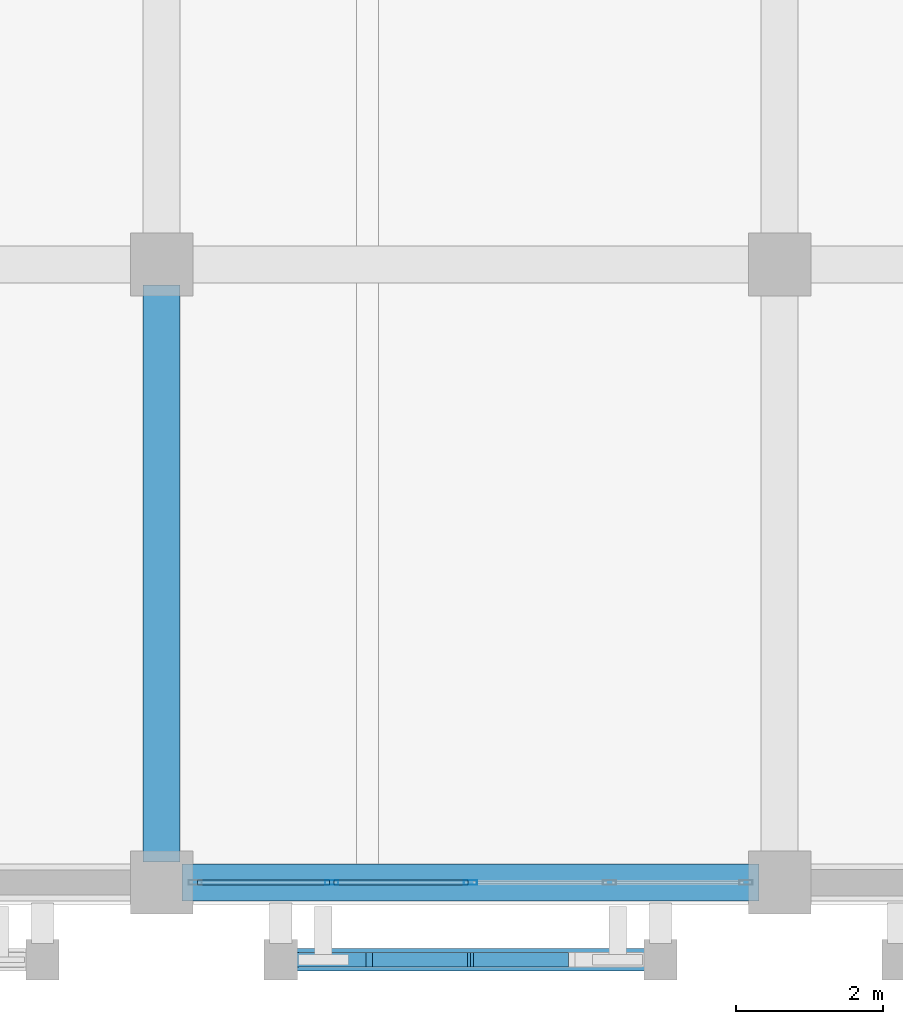
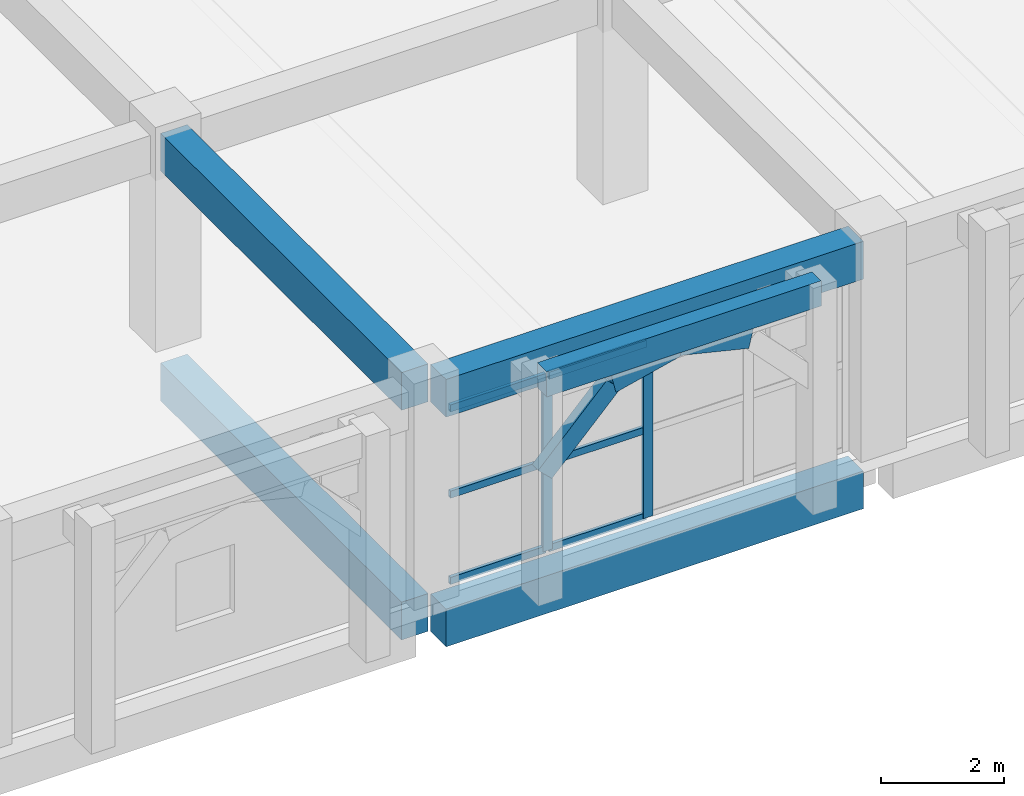
# One storey, part 9 of 129: 11 members, 5 beams, 1 element without a shape of its own.
"""IFC4 building model written with IfcOpenShell, lengths in metres."""

from ifc_helpers import new_model, si_unit, direction, frame, origin, origin_2d, place, context, subcontext, project, spatial, rectangle, hollow_rectangle, extrude, material, layer, layer_set, material_profile, profile_set, type_object, element, aggregate, save


model = new_model("IFC4")

# Units and contexts
model_context = context("Model", 3, precision=1e-05, world=origin(), true_north=direction((0.0, 1.0)))
body_context = subcontext(model_context, "Body", "Model", "MODEL_VIEW")
ifc_project = project(units=[si_unit("LENGTHUNIT", "METRE"), si_unit("AREAUNIT", "SQUARE_METRE"), si_unit("VOLUMEUNIT", "CUBIC_METRE"), si_unit("PLANEANGLEUNIT", "RADIAN"), si_unit("MASSUNIT", "GRAM", prefix="KILO")], contexts=[model_context])

# Site, building, storey
site_placement = place(None, origin())
site = spatial("IfcSite", under=ifc_project, at=site_placement, CompositionType="ELEMENT")
building_placement = place(site_placement, origin())
building = spatial("IfcBuilding", under=site, at=building_placement, Name="Xazarin Passage Department Store", CompositionType="ELEMENT")
storey_placement = place(building_placement, frame((0.0, 0.0, 9.89990234375)))
storey = spatial("IfcBuildingStorey", under=building, at=storey_placement, Name="L02", CompositionType="ELEMENT", Elevation=9.89990234375)

# Curtain wall, members
ifc_material_1 = material(Name="Bronze anodised aluminium", Category="aluminium")
ifc_layer = layer(ifc_material_1, 0.18994140625)
ifc_layer_set = layer_set([ifc_layer], Name="Bronze anodised aluminium")
curtain_wall_type = type_object("IfcCurtainWallType", Name="ARC-CW-FDH1", PredefinedType="NOTDEFINED", material=ifc_layer_set)
curtain_wall_placement = place(storey_placement, origin())
curtain_wall = element("IfcCurtainWall", 1, at=curtain_wall_placement, inside=storey, type_object=curtain_wall_type, Name="L02 V3 Curtain Wall 132", PredefinedType="NOTDEFINED")
ifc_material_profile_1 = material_profile(ifc_material_1, hollow_rectangle(XDim=0.06494140625, YDim=0.179931640625, WallThickness=0.00390625, at=origin_2d()), Name="ALU 65x180")
ifc_profile_set_1 = profile_set([ifc_material_profile_1], Name="Bronze anodised aluminium")
member_type_1 = type_object("IfcMemberType", Name="ARC-CWM-65x180", PredefinedType="MULLION", material=ifc_profile_set_1)
member_1_placement = place(storey_placement, frame((44.3125, 0.0, 0.0), z_axis=(0.0, 0.0, 1.0), x_axis=(0.0, 1.0, 0.0)))
member_1 = element("IfcMember", 2, at=member_1_placement, type_object=member_type_1, Name="CW5 mullion 2", PredefinedType="MULLION", context=body_context, shape_type="SweptSolid", body=[
    extrude(hollow_rectangle(XDim=0.06494140625, YDim=0.179931640625, WallThickness=0.00390625, at=origin_2d()), origin(), (0.0, 0.0, 1.0), 3.489990234375),
])
member_2_placement = place(storey_placement, frame((46.199951171875, 0.0, 0.0), z_axis=(0.0, 0.0, 1.0), x_axis=(0.0, 1.0, 0.0)))
member_2 = element("IfcMember", 3, at=member_2_placement, type_object=member_type_1, Name="CW5 mullion 3", PredefinedType="MULLION", context=body_context, shape_type="SweptSolid", body=[
    extrude(hollow_rectangle(XDim=0.06494140625, YDim=0.179931640625, WallThickness=0.00390625, at=origin_2d()), origin(), (0.0, 0.0, 1.0), 3.489990234375),
])
ifc_material_profile_2 = material_profile(ifc_material_1, hollow_rectangle(XDim=0.06494140625, YDim=0.139892578125, WallThickness=0.00390625, at=origin_2d()), Name="ALU 65x140")
ifc_profile_set_2 = profile_set([ifc_material_profile_2], Name="Bronze anodised aluminium")
member_type_2 = type_object("IfcMemberType", Name="ARC-CWT-65x140", PredefinedType="USERDEFINED", material=ifc_profile_set_2)
member_3_placement = place(storey_placement, frame((42.489990234375, 0.0, 0.03271484375), z_axis=(1.0, 0.0, 0.0), x_axis=(0.0, 1.0, 0.0)))
member_3 = element("IfcMember", 4, at=member_3_placement, type_object=member_type_2, Name="CW5 transom 1.1", ObjectType="TRANSOM", PredefinedType="USERDEFINED", context=body_context, shape_type="SweptSolid", body=[
    extrude(hollow_rectangle(XDim=0.06494140625, YDim=0.139892578125, WallThickness=0.00390625, at=origin_2d()), origin(), (0.0, 0.0, 1.0), 1.7900390625),
])
member_4_placement = place(storey_placement, frame((42.489990234375, 0.0, 1.7451171875), z_axis=(1.0, 0.0, 0.0), x_axis=(0.0, 1.0, 0.0)))
member_4 = element("IfcMember", 5, at=member_4_placement, type_object=member_type_2, Name="CW5 transom 1.2", ObjectType="TRANSOM", PredefinedType="USERDEFINED", context=body_context, shape_type="SweptSolid", body=[
    extrude(hollow_rectangle(XDim=0.06494140625, YDim=0.139892578125, WallThickness=0.00390625, at=origin_2d()), origin(), (0.0, 0.0, 1.0), 1.7900390625),
])
member_5_placement = place(storey_placement, frame((42.489990234375, 0.0, 3.45751953125), z_axis=(1.0, 0.0, 0.0), x_axis=(0.0, 1.0, 0.0)))
member_5 = element("IfcMember", 6, at=member_5_placement, type_object=member_type_2, Name="CW5 transom 1.3", ObjectType="TRANSOM", PredefinedType="USERDEFINED", context=body_context, shape_type="SweptSolid", body=[
    extrude(hollow_rectangle(XDim=0.06494140625, YDim=0.139892578125, WallThickness=0.00390625, at=origin_2d()), origin(), (0.0, 0.0, 1.0), 1.7900390625),
])
member_6_placement = place(storey_placement, frame((44.344970703125, 0.0, 0.03271484375), z_axis=(1.0, 0.0, 0.0), x_axis=(0.0, 1.0, 0.0)))
member_6 = element("IfcMember", 7, at=member_6_placement, type_object=member_type_2, Name="CW5 transom 2.1", ObjectType="TRANSOM", PredefinedType="USERDEFINED", context=body_context, shape_type="SweptSolid", body=[
    extrude(hollow_rectangle(XDim=0.06494140625, YDim=0.139892578125, WallThickness=0.00390625, at=origin_2d()), origin(), (0.0, 0.0, 1.0), 1.822509765625),
])
member_7_placement = place(storey_placement, frame((44.344970703125, 0.0, 1.7451171875), z_axis=(1.0, 0.0, 0.0), x_axis=(0.0, 1.0, 0.0)))
member_7 = element("IfcMember", 8, at=member_7_placement, type_object=member_type_2, Name="CW5 transom 2.2", ObjectType="TRANSOM", PredefinedType="USERDEFINED", context=body_context, shape_type="SweptSolid", body=[
    extrude(hollow_rectangle(XDim=0.06494140625, YDim=0.139892578125, WallThickness=0.00390625, at=origin_2d()), origin(), (0.0, 0.0, 1.0), 1.822509765625),
])
member_8_placement = place(storey_placement, frame((44.344970703125, 0.0, 3.45751953125), z_axis=(1.0, 0.0, 0.0), x_axis=(0.0, 1.0, 0.0)))
member_8 = element("IfcMember", 9, at=member_8_placement, type_object=member_type_2, Name="CW5 transom 2.3", ObjectType="TRANSOM", PredefinedType="USERDEFINED", context=body_context, shape_type="SweptSolid", body=[
    extrude(hollow_rectangle(XDim=0.06494140625, YDim=0.139892578125, WallThickness=0.00390625, at=origin_2d()), origin(), (0.0, 0.0, 1.0), 1.822509765625),
])
aggregate(curtain_wall, [member_1, member_2, member_3, member_4, member_5, member_6, member_7, member_8])

# Beams
ifc_material_2 = material(Name="Concrete C35/45", Category="concrete")
ifc_material_profile_3 = material_profile(ifc_material_2, rectangle(XDim=0.300048828125, YDim=0.5, at=origin_2d()), Name="RC 300x500")
ifc_profile_set_3 = profile_set([ifc_material_profile_3], Name="Concrete C35/45")
beam_type_1 = type_object("IfcBeamType", Name="STR-BM-LN300x500", PredefinedType="LINTEL", material=ifc_profile_set_3)
beam_placement = place(storey_placement, frame((43.6201171875, -1.050048828125, 4.25), z_axis=(1.0, 0.0, 0.0), x_axis=(0.0, 1.0, 0.0)))
element("IfcBeam", 10, at=beam_placement, inside=storey, type_object=beam_type_1, Name="L02 V3 Colonnade Spandrel Beam 031", PredefinedType="LINTEL", context=body_context, shape_type="SweptSolid", body=[
    extrude(rectangle(XDim=0.300048828125, YDim=0.5, at=origin_2d()), origin(), (0.0, 0.0, 1.0), 5.159912109375),
])
ifc_material_profile_4 = material_profile(ifc_material_2, rectangle(XDim=0.5, YDim=0.75, at=origin_2d()), Name="RC 500x750")
ifc_profile_set_4 = profile_set([ifc_material_profile_4], Name="Concrete C35/45")
beam_type_2 = type_object("IfcBeamType", Name="STR-BM-SP500x750", PredefinedType="SPANDREL", material=ifc_profile_set_4)
for number, where, z_axis, x_axis, name in (
    (11, (42.280029296875, 0.0, -0.69482421875), (1.0, 0.0, 0.0), (0.0, 1.0, 0.0), "L02 Grid Beam A/6-7"),
    (12, (42.0, 0.280029296875, -0.69482421875), (0.0, 1.0, 0.0), (-1.0, 0.0, 0.0), "L02 Grid Beam 6/A-B"),
    (13, (42.280029296875, 0.0, 3.864990234375), (1.0, 0.0, 0.0), (0.0, 1.0, 0.0), "L02 Grid Beam A/6-7"),
    (14, (42.0, 0.280029296875, 3.864990234375), (0.0, 1.0, 0.0), (-1.0, 0.0, 0.0), "L02 Grid Beam 6/A-B"),
):
    element("IfcBeam", number, at=place(storey_placement, frame(where, z_axis=z_axis, x_axis=x_axis)), inside=storey, type_object=beam_type_2, Name=name, PredefinedType="SPANDREL", context=body_context, shape_type="SweptSolid", body=[
        extrude(rectangle(XDim=0.5, YDim=0.75, at=origin_2d()), origin(), (0.0, 0.0, 1.0), 7.840087890625),
    ])

# Members
ifc_material_3 = material(Name="Concrete C40/50", Category="concrete")
ifc_material_profile_5 = material_profile(ifc_material_3, rectangle(XDim=0.199951171875, YDim=0.360107421875, at=origin_2d()), Name="RC 200x360")
ifc_profile_set_5 = profile_set([ifc_material_profile_5], Name="Concrete C40/50")
member_type_3 = type_object("IfcMemberType", Name="STR-MEM-ARC360", PredefinedType="CHORD", material=ifc_profile_set_5)
member_9_placement = place(storey_placement, frame((43.6201171875, -1.050048828125, 2.43017578125), z_axis=(0.693391944082, 0.0, 0.720560623322), x_axis=(0.0, 1.0, 0.0)))
element("IfcMember", 15, at=member_9_placement, inside=storey, type_object=member_type_3, Name="L02 V3 Pierced Lattice Curved Arch 031.1", PredefinedType="CHORD", context=body_context, shape_type="SweptSolid", body=[
    extrude(rectangle(XDim=0.199951171875, YDim=0.360107421875, at=origin_2d()), origin(), (0.0, 0.0, 1.0), 1.860107421875),
])
for number, where, z_axis, x_axis, name in (
    (16, (44.909912109375, -1.050048828125, 3.7705078125), (0.972393983317, 0.0, 0.233345111818), (0.0, 1.0, 0.0), "L02 V3 Pierced Lattice Curved Arch 031.2"),
    (17, (46.199951171875, -1.050048828125, 4.080078125), (0.972393983317, 0.0, -0.233345111818), (0.0, 1.0, 0.0), "L02 V3 Pierced Lattice Curved Arch 031.3"),
):
    element("IfcMember", number, at=place(storey_placement, frame(where, z_axis=z_axis, x_axis=x_axis)), inside=storey, type_object=member_type_3, Name=name, PredefinedType="CHORD", context=body_context, shape_type="SweptSolid", body=[
        extrude(rectangle(XDim=0.199951171875, YDim=0.360107421875, at=origin_2d()), origin(), (0.0, 0.0, 1.0), 1.32666015625),
    ])

save(model, "model.ifc")
